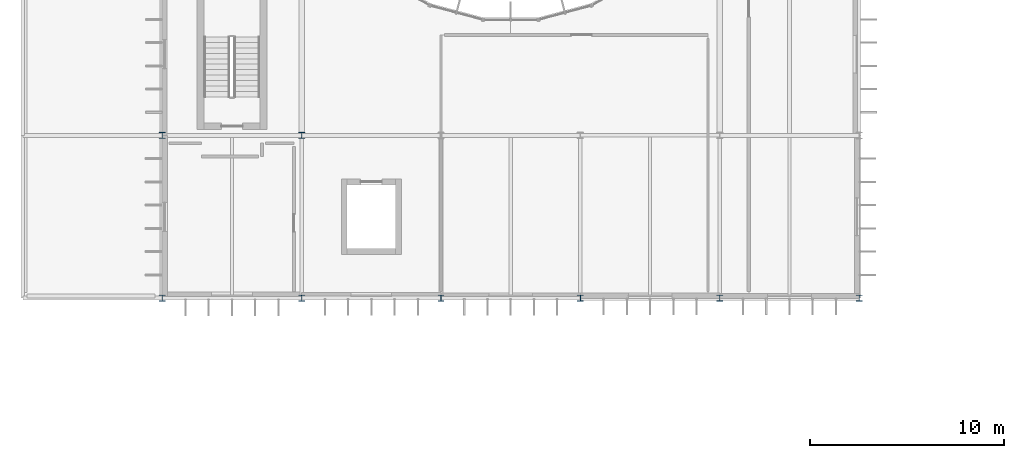
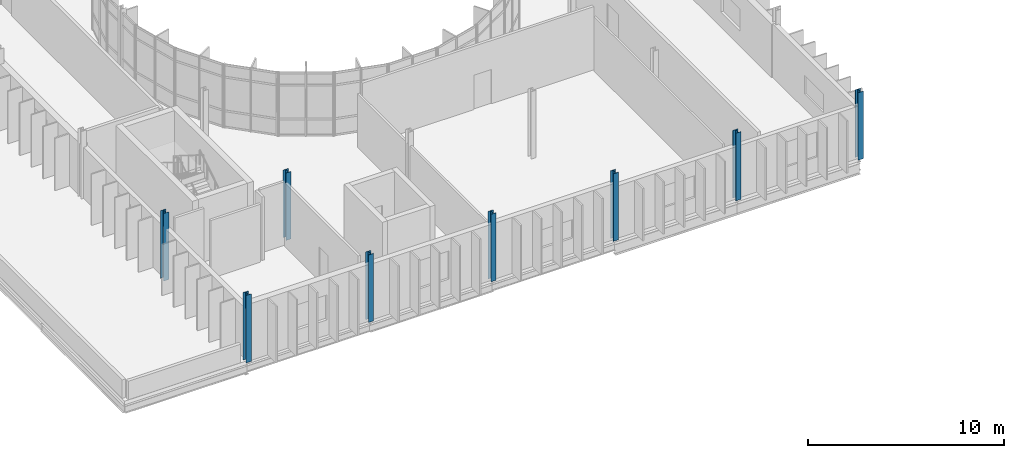
# One storey, part 1 of 52: 8 columns.
"""IFC4 building model written with IfcOpenShell, lengths in metres."""

import ifcopenshell
import ifcopenshell.guid

model = None  # the IFC model being written
_history = None  # IfcOwnerHistory: only IFC2X3 demands one
_inside = {}  # id of a spatial element -> (the spatial element, [elements in it])
_under = {}  # id of a project, library or spatial element -> (it, [spatial elements below it])
_declared = {}  # id of a project -> (the project, [libraries it declares])
_typed = {}  # id of a type object -> (the type object, [elements of that type])
_made_of = {}  # id of a material, layer set ... -> (it, [elements and type objects made of it])


def new_model(schema):
    """Start an empty IFC model of exactly this schema.

    Asked for "IFC4X3", IfcOpenShell would pick the latest addendum, in which some entities
    have other attributes; the version numbers below select the first issue.
    IFC2X3 requires an IfcOwnerHistory on every rooted entity: one is made here for all.
    """
    global model, _history
    if schema == "IFC4X3":
        model = ifcopenshell.file(schema_version=(4, 3, 0, 0))
    else:
        model = ifcopenshell.file(schema=schema)
    _inside.clear()
    _under.clear()
    _declared.clear()
    _typed.clear()
    _made_of.clear()
    _history = None
    if model.schema == "IFC2X3":
        org = make("IfcOrganization", Name="unknown")
        user = make(
            "IfcPersonAndOrganization",
            ThePerson=make("IfcPerson", FamilyName="unknown"),
            TheOrganization=org,
        )
        app = make(
            "IfcApplication",
            ApplicationDeveloper=org,
            Version="unknown",
            ApplicationFullName="unknown",
            ApplicationIdentifier="unknown",
        )
        _history = make(
            "IfcOwnerHistory",
            OwningUser=user,
            OwningApplication=app,
            ChangeAction="ADDED",
            CreationDate=0,
        )
    return model


def make(cls, **values):
    """One entity of the class cls with the attributes given. An attribute that is None is left unset."""
    return model.create_entity(
        cls, **{name: value for name, value in values.items() if value is not None}
    )


def rooted(cls, **values):
    """An entity with a GlobalId (a new one), such as an element, a storey or a relation."""
    return make(cls, GlobalId=ifcopenshell.guid.new(), OwnerHistory=_history, **values)


def si_unit(unit_type, name, prefix=None):
    """IfcSIUnit, for example si_unit("LENGTHUNIT", "METRE", prefix="MILLI")."""
    return make("IfcSIUnit", UnitType=unit_type, Prefix=prefix, Name=name)


def assignment(units):
    """IfcUnitAssignment: the units of a project."""
    return None if units is None else make("IfcUnitAssignment", Units=units)


def point(xyz):
    """IfcCartesianPoint."""
    return None if xyz is None else make("IfcCartesianPoint", Coordinates=xyz)


def direction(xyz):
    """IfcDirection."""
    return None if xyz is None else make("IfcDirection", DirectionRatios=xyz)


def frame(location, z_axis=None, x_axis=None):
    """IfcAxis2Placement3D, a coordinate frame: its origin and axes. An axis left out is left unset."""
    return make(
        "IfcAxis2Placement3D",
        Location=point(location),
        Axis=direction(z_axis),
        RefDirection=direction(x_axis),
    )


def frame_2d(location, x_axis=None):
    """IfcAxis2Placement2D, a coordinate frame in the plane: its origin and x axis."""
    return make(
        "IfcAxis2Placement2D", Location=point(location), RefDirection=direction(x_axis)
    )


def origin():
    """The frame at (0, 0, 0) with its axes left unset."""
    return frame((0.0, 0.0, 0.0))


def origin_2d():
    """The frame at (0, 0) in the plane with its x axis left unset."""
    return frame_2d((0.0, 0.0))


def place(relative_to, where):
    """IfcLocalPlacement: puts the frame where relative to a parent placement (None: the world)."""
    return make(
        "IfcLocalPlacement", PlacementRelTo=relative_to, RelativePlacement=where
    )


def context(
    kind, dimensions, precision=None, world=None, true_north=None, identifier=None
):
    """IfcGeometricRepresentationContext, for example the 3D "Model" context."""
    return make(
        "IfcGeometricRepresentationContext",
        ContextIdentifier=identifier,
        ContextType=kind,
        CoordinateSpaceDimension=dimensions,
        Precision=precision,
        WorldCoordinateSystem=world,
        TrueNorth=true_north,
    )


def subcontext(parent, identifier, kind, view, scale=None):
    """IfcGeometricRepresentationSubContext, for example "Body" below "Model"."""
    return make(
        "IfcGeometricRepresentationSubContext",
        ContextIdentifier=identifier,
        ContextType=kind,
        ParentContext=parent,
        TargetScale=scale,
        TargetView=view,
    )


def project(units=None, contexts=None):
    """IfcProject with its units and contexts."""
    return rooted(
        "IfcProject",
        Name="project",
        RepresentationContexts=contexts,
        UnitsInContext=assignment(units),
    )


def spatial(cls, under=None, at=None, **own):
    """A site, building, storey or space (cls), placed at a placement, below another one or the project."""
    s = rooted(cls, ObjectPlacement=at, **own)
    if under is not None:
        _under.setdefault(under.id(), (under, []))[1].append(s)
    return s


def profile(cls, at=None, kind="AREA", **sizes):
    """A parametric profile (cls). Its sizes go by their IFC names, for example OverallWidth=200.0."""
    return make(cls, ProfileType=kind, Position=at, **sizes)


def i_section(**sizes):
    """IfcIShapeProfileDef."""
    return profile("IfcIShapeProfileDef", **sizes)


def extrude(swept, where, along, depth):
    """IfcExtrudedAreaSolid: the profile swept, set in the frame where, extruded along a direction by depth."""
    return make(
        "IfcExtrudedAreaSolid",
        SweptArea=swept,
        Position=where,
        ExtrudedDirection=direction(along),
        Depth=depth,
    )


def shape(context_of_items, identifier, shape_type, items):
    """IfcShapeRepresentation: the items that make up one representation, for example the "Body"."""
    return make(
        "IfcShapeRepresentation",
        ContextOfItems=context_of_items,
        RepresentationIdentifier=identifier,
        RepresentationType=shape_type,
        Items=items,
    )


def material(Name=None, Category=None):
    """IfcMaterial."""
    return make("IfcMaterial", Name=Name, Category=Category)


def material_profile(
    of_material, cross_section, Name=None, Category=None, Priority=None
):
    """IfcMaterialProfile: a cross section and its material."""
    return make(
        "IfcMaterialProfile",
        Name=Name,
        Material=of_material,
        Profile=cross_section,
        Priority=Priority,
        Category=Category,
    )


def profile_set(profiles, Name=None, composite=None):
    """IfcMaterialProfileSet."""
    return make(
        "IfcMaterialProfileSet",
        Name=Name,
        MaterialProfiles=profiles,
        CompositeProfile=composite,
    )


def made_of(thing, what):
    """Note that an element or type object is made of a material, layer set ...; save() writes the relation."""
    if what is not None:
        _made_of.setdefault(what.id(), (what, []))[1].append(thing)
    return thing


def type_object(cls, material=None, **own):
    """A type object (cls), such as IfcWallType, which elements share."""
    return made_of(rooted(cls, **own), material)


def element(
    cls,
    number,
    at=None,
    inside=None,
    cuts=None,
    type_object=None,
    material=None,
    context=None,
    identifier="Body",
    shape_type=None,
    held_by="IfcProductDefinitionShape",
    body=None,
    shapes=None,
    **own,
):
    """One element of the class cls, such as IfcWall. Its Tag is "e" and its number.

    at: its placement. inside: the storey or other place that contains it. cuts: it is an
    opening in that element (IfcRelVoidsElement). A single representation is given by context,
    identifier, shape_type and body (its items); several are given by shapes. held_by: the class
    of the entity that holds the representations. save() writes the other relations.
    """
    e = rooted(cls, Tag="e%d" % number, ObjectPlacement=at, **own)
    if body is not None:
        shapes = [shape(context, identifier, shape_type, body)]
    if shapes is not None:
        e.Representation = make(held_by, Representations=shapes)
    if inside is not None:
        _inside.setdefault(inside.id(), (inside, []))[1].append(e)
    if cuts is not None:
        rooted(
            "IfcRelVoidsElement", RelatingBuildingElement=cuts, RelatedOpeningElement=e
        )
    if type_object is not None:
        _typed.setdefault(type_object.id(), (type_object, []))[1].append(e)
    return made_of(e, material)


def aggregate(whole, parts):
    """IfcRelAggregates: a whole, such as a stair, and the parts it consists of."""
    return rooted("IfcRelAggregates", RelatingObject=whole, RelatedObjects=parts)


def save(model, path):
    """Write the relations noted so far, then the file.

    IfcRelAggregates (storeys below a building ...), IfcRelContainedInSpatialStructure (elements
    in a storey), IfcRelDefinesByType, IfcRelAssociatesMaterial and IfcRelDeclares: one each for
    every whole, place, type object, material and project.
    """
    for whole, parts in _under.values():
        aggregate(whole, parts)
    for where, things in _inside.values():
        rooted(
            "IfcRelContainedInSpatialStructure",
            RelatedElements=things,
            RelatingStructure=where,
        )
    for kind, things in _typed.values():
        rooted("IfcRelDefinesByType", RelatedObjects=things, RelatingType=kind)
    for what, things in _made_of.values():
        rooted("IfcRelAssociatesMaterial", RelatedObjects=things, RelatingMaterial=what)
    for by, libraries in _declared.values():
        rooted("IfcRelDeclares", RelatingContext=by, RelatedDefinitions=libraries)
    model.write(path)


model = new_model("IFC4")

# Units and contexts
model_context = context("Model", 3, precision=1e-05, world=origin(), true_north=direction((0.0, 1.0)))
body_context = subcontext(model_context, "Body", "Model", "MODEL_VIEW")
ifc_project = project(units=[si_unit("LENGTHUNIT", "METRE"), si_unit("AREAUNIT", "SQUARE_METRE"), si_unit("VOLUMEUNIT", "CUBIC_METRE"), si_unit("PLANEANGLEUNIT", "RADIAN"), si_unit("MASSUNIT", "GRAM", prefix="KILO")], contexts=[model_context])

# Site, building, storey
site_placement = place(None, origin())
site = spatial("IfcSite", under=ifc_project, at=site_placement, CompositionType="ELEMENT")
building_placement = place(site_placement, origin())
building = spatial("IfcBuilding", under=site, at=building_placement, Name="Qelthora Terrace Specialist Clinic", CompositionType="ELEMENT")
storey_placement = place(building_placement, frame((0.0, 0.0, 17.39990234375)))
storey = spatial("IfcBuildingStorey", under=building, at=storey_placement, Name="L04", CompositionType="ELEMENT", Elevation=17.39990234375)

# Columns
ifc_material = material(Name="Steel S355", Category="steel")
ifc_material_profile_1 = material_profile(ifc_material, i_section(OverallWidth=0.305908203125, OverallDepth=0.31103515625, WebThickness=0.010986328125, FlangeThickness=0.01708984375, FilletRadius=0.014892578125, at=origin_2d()), Name="W310X107")
ifc_profile_set_1 = profile_set([ifc_material_profile_1], Name="Steel S355")
column_type_1 = type_object("IfcColumnType", Name="COL-W310X107", PredefinedType="COLUMN", material=ifc_profile_set_1)
for number, where, z_axis, x_axis, name in (
    (1, (7.199951171875, 58.800048828125, 0.0), (0.0, 0.0, 1.0), (1.0, 0.0, 0.0), "Column L04-022"),
    (2, (14.39990234375, 67.199951171875, 0.0), (0.0, 0.0, 1.0), (1.0, 0.0, 0.0), "Column L04-037"),
    (3, (28.800048828125, 58.800048828125, 0.0), (0.0, 0.0, 1.0), (1.0, 0.0, 0.0), "Column L04-061"),
):
    element("IfcColumn", number, at=place(storey_placement, frame(where, z_axis=z_axis, x_axis=x_axis)), inside=storey, type_object=column_type_1, Name=name, PredefinedType="COLUMN", context=body_context, shape_type="SweptSolid", body=[
        extrude(i_section(OverallWidth=0.305908203125, OverallDepth=0.31103515625, WebThickness=0.010986328125, FlangeThickness=0.01708984375, FilletRadius=0.014892578125, at=origin_2d()), origin(), (0.0, 0.0, 1.0), 4.2001953125),
    ])
ifc_material_profile_2 = material_profile(ifc_material, i_section(OverallWidth=0.306884765625, OverallDepth=0.31396484375, WebThickness=0.011962890625, FlangeThickness=0.018798828125, FilletRadius=0.01611328125, at=origin_2d()), Name="W310X118")
ifc_profile_set_2 = profile_set([ifc_material_profile_2], Name="Steel S355")
column_type_2 = type_object("IfcColumnType", Name="COL-W310X118", PredefinedType="COLUMN", material=ifc_profile_set_2)
for number, where, z_axis, x_axis, name in (
    (4, (14.39990234375, 58.800048828125, 0.0), (0.0, 0.0, 1.0), (1.0, 0.0, 0.0), "Column L04-036"),
    (5, (36.0, 58.800048828125, 0.0), (0.0, 0.0, 1.0), (1.0, 0.0, 0.0), "Column L04-072"),
):
    element("IfcColumn", number, at=place(storey_placement, frame(where, z_axis=z_axis, x_axis=x_axis)), inside=storey, type_object=column_type_2, Name=name, PredefinedType="COLUMN", context=body_context, shape_type="SweptSolid", body=[
        extrude(i_section(OverallWidth=0.306884765625, OverallDepth=0.31396484375, WebThickness=0.011962890625, FlangeThickness=0.018798828125, FilletRadius=0.01611328125, at=origin_2d()), origin(), (0.0, 0.0, 1.0), 4.2001953125),
    ])
ifc_material_profile_3 = material_profile(ifc_material, i_section(OverallWidth=0.304931640625, OverallDepth=0.30810546875, WebThickness=0.010009765625, FlangeThickness=0.015380859375, FilletRadius=0.014892578125, at=origin_2d()), Name="W310X97")
ifc_profile_set_3 = profile_set([ifc_material_profile_3], Name="Steel S355")
column_type_3 = type_object("IfcColumnType", Name="COL-W310X97", PredefinedType="COLUMN", material=ifc_profile_set_3)
for number, where, z_axis, x_axis, name in (
    (6, (7.199951171875, 67.199951171875, 0.0), (0.0, 0.0, 1.0), (1.0, 0.0, 0.0), "Column L04-023"),
    (7, (21.60009765625, 58.800048828125, 0.0), (0.0, 0.0, 1.0), (1.0, 0.0, 0.0), "Column L04-050"),
    (8, (43.199951171875, 58.800048828125, 0.0), (0.0, 0.0, 1.0), (1.0, 0.0, 0.0), "Column L04-086"),
):
    element("IfcColumn", number, at=place(storey_placement, frame(where, z_axis=z_axis, x_axis=x_axis)), inside=storey, type_object=column_type_3, Name=name, PredefinedType="COLUMN", context=body_context, shape_type="SweptSolid", body=[
        extrude(i_section(OverallWidth=0.304931640625, OverallDepth=0.30810546875, WebThickness=0.010009765625, FlangeThickness=0.015380859375, FilletRadius=0.014892578125, at=origin_2d()), origin(), (0.0, 0.0, 1.0), 4.2001953125),
    ])

save(model, "model.ifc")
